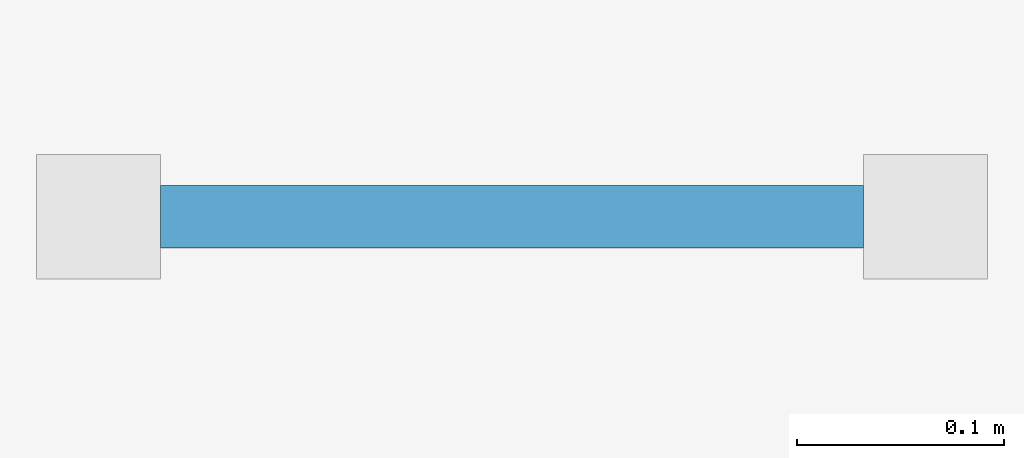
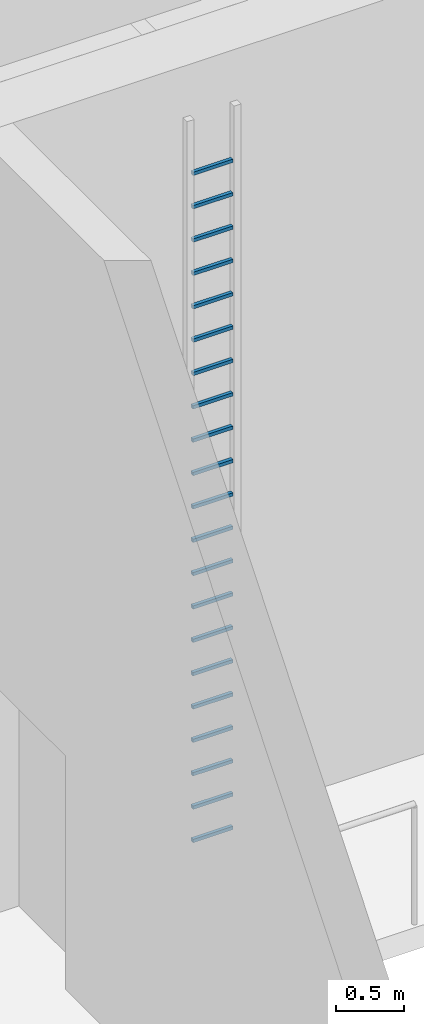
# One storey, part 7 of 8: 21 discrete accessories.
"""IFC4 building model written with IfcOpenShell, lengths in metres."""

from ifc_helpers import new_model, si_unit, direction, frame, origin, origin_2d, place, context, subcontext, project, spatial, rectangle, extrude, element, save


model = new_model("IFC4")

# Units and contexts
model_context = context("Model", 3, precision=1e-05, world=origin(), true_north=direction((0.0, 1.0)))
body_context = subcontext(model_context, "Body", "Model", "MODEL_VIEW")
ifc_project = project(units=[si_unit("LENGTHUNIT", "METRE"), si_unit("AREAUNIT", "SQUARE_METRE"), si_unit("VOLUMEUNIT", "CUBIC_METRE"), si_unit("PLANEANGLEUNIT", "RADIAN"), si_unit("MASSUNIT", "GRAM", prefix="KILO")], contexts=[model_context])

# Site, building, storey
site_placement = place(None, origin())
site = spatial("IfcSite", under=ifc_project, at=site_placement, CompositionType="ELEMENT")
building_placement = place(site_placement, origin())
building = spatial("IfcBuilding", under=site, at=building_placement, Name="Amberfall Residences", CompositionType="ELEMENT")
storey_placement = place(building_placement, frame((0.0, 0.0, 301.60009765625)))
storey = spatial("IfcBuildingStorey", under=building, at=storey_placement, Name="L81 Crown", CompositionType="ELEMENT", Elevation=301.60009765625)

# Discrete accessories
for number, where, z_axis, x_axis, name in (
    (1, (83.330078125, 56.39990234375, 0.39990234375), (1.0, 0.0, 0.0), (0.0, 1.0, 0.0), "Roof ladder rung"),
    (2, (83.330078125, 56.39990234375, 0.699951171875), (1.0, 0.0, 0.0), (0.0, 1.0, 0.0), "Roof ladder rung"),
    (3, (83.330078125, 56.39990234375, 1.0), (1.0, 0.0, 0.0), (0.0, 1.0, 0.0), "Roof ladder rung"),
    (4, (83.330078125, 56.39990234375, 1.2998046875), (1.0, 0.0, 0.0), (0.0, 1.0, 0.0), "Roof ladder rung"),
    (5, (83.330078125, 56.39990234375, 1.599853515625), (1.0, 0.0, 0.0), (0.0, 1.0, 0.0), "Roof ladder rung"),
    (6, (83.330078125, 56.39990234375, 1.89990234375), (1.0, 0.0, 0.0), (0.0, 1.0, 0.0), "Roof ladder rung"),
    (7, (83.330078125, 56.39990234375, 2.199951171875), (1.0, 0.0, 0.0), (0.0, 1.0, 0.0), "Roof ladder rung"),
    (8, (83.330078125, 56.39990234375, 2.5), (1.0, 0.0, 0.0), (0.0, 1.0, 0.0), "Roof ladder rung"),
    (9, (83.330078125, 56.39990234375, 2.7998046875), (1.0, 0.0, 0.0), (0.0, 1.0, 0.0), "Roof ladder rung"),
    (10, (83.330078125, 56.39990234375, 3.099853515625), (1.0, 0.0, 0.0), (0.0, 1.0, 0.0), "Roof ladder rung"),
    (11, (83.330078125, 56.39990234375, 3.39990234375), (1.0, 0.0, 0.0), (0.0, 1.0, 0.0), "Roof ladder rung"),
    (12, (83.330078125, 56.39990234375, 3.699951171875), (1.0, 0.0, 0.0), (0.0, 1.0, 0.0), "Roof ladder rung"),
    (13, (83.330078125, 56.39990234375, 4.0), (1.0, 0.0, 0.0), (0.0, 1.0, 0.0), "Roof ladder rung"),
    (14, (83.330078125, 56.39990234375, 4.2998046875), (1.0, 0.0, 0.0), (0.0, 1.0, 0.0), "Roof ladder rung"),
    (15, (83.330078125, 56.39990234375, 4.599853515625), (1.0, 0.0, 0.0), (0.0, 1.0, 0.0), "Roof ladder rung"),
    (16, (83.330078125, 56.39990234375, 4.89990234375), (1.0, 0.0, 0.0), (0.0, 1.0, 0.0), "Roof ladder rung"),
    (17, (83.330078125, 56.39990234375, 5.199951171875), (1.0, 0.0, 0.0), (0.0, 1.0, 0.0), "Roof ladder rung"),
    (18, (83.330078125, 56.39990234375, 5.5), (1.0, 0.0, 0.0), (0.0, 1.0, 0.0), "Roof ladder rung"),
    (19, (83.330078125, 56.39990234375, 5.7998046875), (1.0, 0.0, 0.0), (0.0, 1.0, 0.0), "Roof ladder rung"),
    (20, (83.330078125, 56.39990234375, 6.099853515625), (1.0, 0.0, 0.0), (0.0, 1.0, 0.0), "Roof ladder rung"),
    (21, (83.330078125, 56.39990234375, 6.39990234375), (1.0, 0.0, 0.0), (0.0, 1.0, 0.0), "Roof ladder rung"),
):
    element("IfcDiscreteAccessory", number, at=place(storey_placement, frame(where, z_axis=z_axis, x_axis=x_axis)), inside=storey, Name=name, ObjectType="Roof access ladder", PredefinedType="USERDEFINED", context=body_context, shape_type="SweptSolid", body=[
        extrude(rectangle(XDim=0.030029296875, YDim=0.030029296875, at=origin_2d()), origin(), (0.0, 0.0, 1.0), 0.33984375),
    ])

save(model, "model.ifc")
